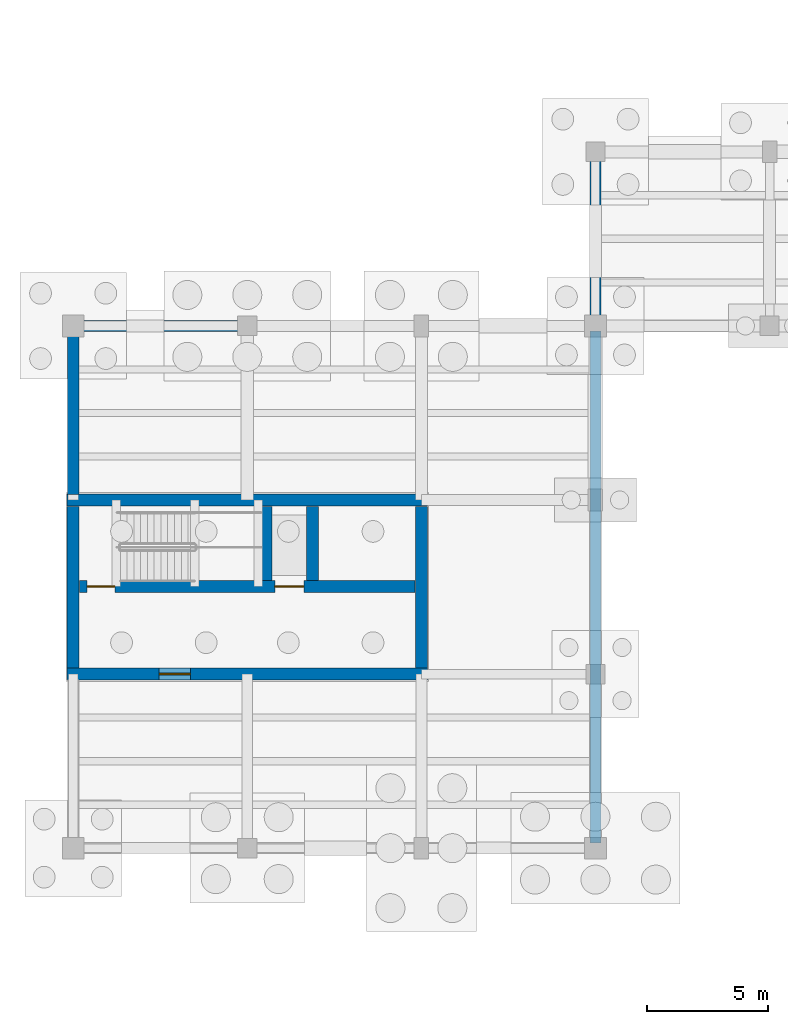
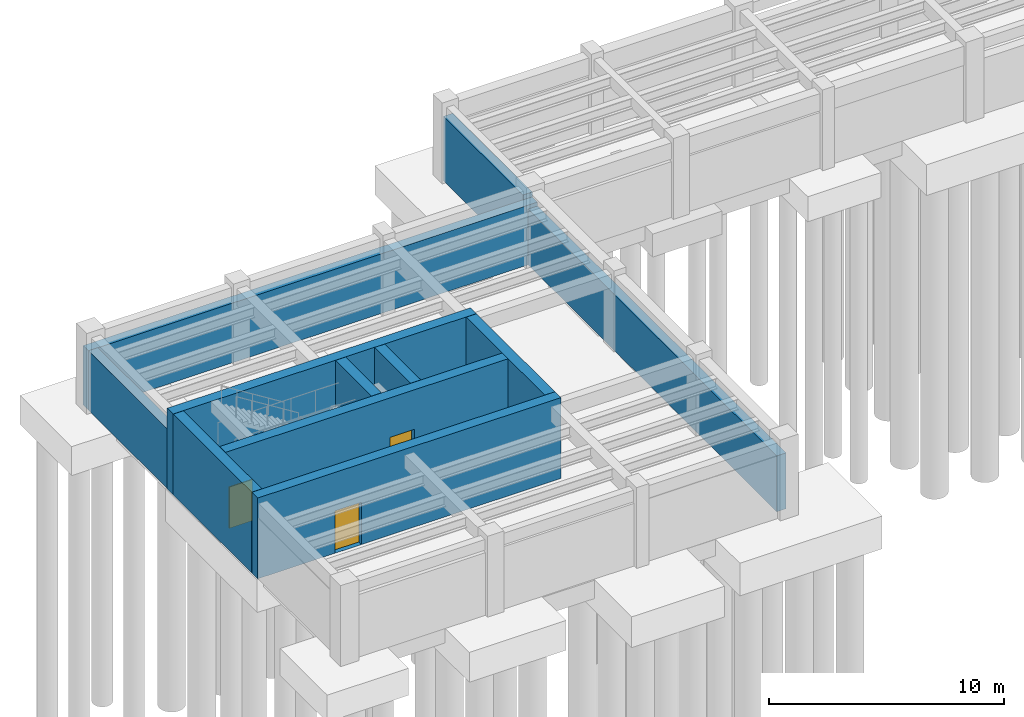
# One storey, part 11 of 22: 11 walls, 3 doors, 3 openings.
"""IFC4 building model written with IfcOpenShell, lengths in metres."""

from ifc_helpers import new_model, si_unit, direction, frame, frame_2d, origin, place, context, subcontext, project, spatial, rectangle, extrude, material, layer, layer_set, type_object, element, fill, save


model = new_model("IFC4")

# Units and contexts
model_context = context("Model", 3, precision=1e-05, world=origin(), true_north=direction((0.0, 1.0)))
body_context = subcontext(model_context, "Body", "Model", "MODEL_VIEW")
ifc_project = project(units=[si_unit("LENGTHUNIT", "METRE"), si_unit("AREAUNIT", "SQUARE_METRE"), si_unit("VOLUMEUNIT", "CUBIC_METRE"), si_unit("PLANEANGLEUNIT", "RADIAN"), si_unit("MASSUNIT", "GRAM", prefix="KILO")], contexts=[model_context])

# Site, building, storey
site_placement = place(None, origin())
site = spatial("IfcSite", under=ifc_project, at=site_placement, CompositionType="ELEMENT")
building_placement = place(site_placement, origin())
building = spatial("IfcBuilding", under=site, at=building_placement, Name="Mithqara Police Headquarters", CompositionType="ELEMENT")
storey_placement = place(building_placement, frame((0.0, 0.0, -8.39990234375)))
storey = spatial("IfcBuildingStorey", under=building, at=storey_placement, Name="B2", CompositionType="ELEMENT", Elevation=-8.39990234375)

# Walls
ifc_material_1 = material(Name="Concrete C40/50", Category="concrete")
ifc_layer_1 = layer(ifc_material_1, 0.4599609375, Name="Concrete C40/50")
ifc_layer_set_1 = layer_set([ifc_layer_1], Name="Concrete C40/50")
wall_type_1 = type_object("IfcWallType", Name="RETAINING WALL 460", PredefinedType="USERDEFINED", material=ifc_layer_set_1)
wall_1_placement = place(storey_placement, frame((29.39990234375, 78.820068359375, 0.0), z_axis=(0.0, 0.0, 1.0), x_axis=(0.0, 1.0, 0.0)))
element("IfcWall", 1, at=wall_1_placement, inside=storey, type_object=wall_type_1, Name="B2 Perimeter Retaining Wall 3", ObjectType="RETAININGWALL", PredefinedType="USERDEFINED", context=body_context, shape_type="SweptSolid", body=[
    extrude(rectangle(XDim=6.760009765625, YDim=0.4599609375, at=frame_2d((3.3798828125, 0.0))), origin(), (0.0, 0.0, 1.0), 3.349853515625),
])
wall_2_placement = place(storey_placement, frame((7.570068359375, 78.60009765625, 0.0), z_axis=(0.0, 0.0, 1.0), x_axis=(1.0, 0.0, 0.0)))
element("IfcWall", 2, at=wall_2_placement, inside=storey, type_object=wall_type_1, Name="B2 Perimeter Retaining Wall 16", ObjectType="RETAININGWALL", PredefinedType="USERDEFINED", context=body_context, shape_type="SweptSolid", body=[
    extrude(rectangle(XDim=22.059814453125, YDim=0.4599609375, at=frame_2d((11.02978515625, 0.0))), origin(), (0.0, 0.0, 1.0), 3.099853515625),
])
wall_3_placement = place(storey_placement, frame((29.39990234375, 78.3798828125, 0.0), z_axis=(0.0, 0.0, 1.0), x_axis=(0.0, -1.0, 0.0)))
element("IfcWall", 3, at=wall_3_placement, inside=storey, type_object=wall_type_1, Name="B2 Perimeter Retaining Wall 17", ObjectType="RETAININGWALL", PredefinedType="USERDEFINED", context=body_context, shape_type="SweptSolid", body=[
    extrude(rectangle(XDim=21.159912109375, YDim=0.4599609375, at=frame_2d((10.580078125, 0.0))), origin(), (0.0, 0.0, 1.0), 2.89990234375),
])
wall_4_placement = place(storey_placement, frame((7.800048828125, 71.6298828125, 0.0), z_axis=(0.0, 0.0, 1.0), x_axis=(0.0, 1.0, 0.0)))
element("IfcWall", 4, at=wall_4_placement, inside=storey, type_object=wall_type_1, Name="B2 Perimeter Retaining Wall 20", ObjectType="RETAININGWALL", PredefinedType="USERDEFINED", context=body_context, shape_type="SweptSolid", body=[
    extrude(rectangle(XDim=6.75, YDim=0.4599609375, at=frame_2d((3.375, 0.0))), origin(), (0.0, 0.0, 1.0), 3.099853515625),
])
ifc_material_2 = material(Name="Concrete C50/60", Category="concrete")
ifc_layer_2 = layer(ifc_material_2, 0.5, Name="Concrete C50/60")
ifc_layer_set_2 = layer_set([ifc_layer_2], Name="Concrete C50/60")
wall_type_2 = type_object("IfcWallType", Name="SHEAR WALL 500", PredefinedType="SHEAR", material=ifc_layer_set_2)
wall_5_placement = place(storey_placement, frame((7.550048828125, 71.39990234375, 0.0), z_axis=(0.0, 0.0, 1.0), x_axis=(1.0, 0.0, 0.0)))
element("IfcWall", 5, at=wall_5_placement, inside=storey, type_object=wall_type_2, Name="Core C3 Operations West Shear Wall N", PredefinedType="SHEAR", context=body_context, shape_type="SweptSolid", body=[
    extrude(rectangle(XDim=14.89990234375, YDim=0.5, at=frame_2d((7.449951171875, 0.0))), origin(), (0.0, 0.0, 1.0), 4.199951171875),
])

# Wall, opening, door
wall_6_placement = place(storey_placement, frame((7.550048828125, 64.199951171875, 0.0), z_axis=(0.0, 0.0, 1.0), x_axis=(1.0, 0.0, 0.0)))
wall_6 = element("IfcWall", 6, at=wall_6_placement, inside=storey, type_object=wall_type_2, Name="Core C3 Operations West Shear Wall S", PredefinedType="SHEAR", context=body_context, shape_type="SweptSolid", body=[
    extrude(rectangle(XDim=14.89990234375, YDim=0.5, at=frame_2d((7.449951171875, 0.0))), origin(), (0.0, 0.0, 1.0), 4.199951171875),
])
opening_1_placement = place(wall_6_placement, frame((3.800048828125, 0.0, 0.0)))
opening_1 = element("IfcOpeningElement", 7, at=opening_1_placement, cuts=wall_6, Name="Opening FD-02", PredefinedType="OPENING", context=body_context, shape_type="SweptSolid", body=[
    extrude(rectangle(XDim=1.300048828125, YDim=2.199951171875, at=frame_2d((0.64990234375, 1.10009765625))), frame((0.0, 0.260009765625, 0.0), z_axis=(0.0, -1.0, 0.0), x_axis=(1.0, 0.0, 0.0)), (0.0, 0.0, 1.0), 0.52001953125),
])
ifc_material_3 = material(Name="Steel S355JR", Category="steel")
door_type_1 = type_object("IfcDoorType", Name="CORE DOOR LOBBY 1300X2200", OperationType="NOTDEFINED", PredefinedType="DOOR", material=ifc_material_3)
door_1_placement = place(opening_1_placement, frame((1.300048828125, 0.0, 0.0), z_axis=(0.0, 0.0, 1.0), x_axis=(-1.0, 0.0, 0.0)))
door_1 = element("IfcDoor", 8, at=door_1_placement, inside=storey, type_object=door_type_1, Name="Core C3 Operations West Lobby Fire Door B2", OperationType="SINGLE_SWING_LEFT", OverallHeight=2.199951171875, OverallWidth=1.300048828125, PredefinedType="DOOR", context=body_context, shape_type="SweptSolid", body=[
    extrude(rectangle(XDim=1.300048828125, YDim=2.199951171875, at=frame_2d((0.64990234375, 1.10009765625))), frame((0.0, 0.02490234375, 0.0), z_axis=(0.0, -1.0, 0.0), x_axis=(1.0, 0.0, 0.0)), (0.0, 0.0, 1.0), 0.050048828125),
])
fill(opening_1, door_1)

# Walls
for number, where, z_axis, x_axis, name in (
    (9, (7.800048828125, 64.4599609375, 0.0), (0.0, 0.0, 1.0), (0.0, 1.0, 0.0), "Core C3 Operations West Shear Wall W"),
    (10, (22.199951171875, 64.4599609375, 0.0), (0.0, 0.0, 1.0), (0.0, 1.0, 0.0), "Core C3 Operations West Shear Wall E"),
):
    element("IfcWall", number, at=place(storey_placement, frame(where, z_axis=z_axis, x_axis=x_axis)), inside=storey, type_object=wall_type_2, Name=name, PredefinedType="SHEAR", context=body_context, shape_type="SweptSolid", body=[
        extrude(rectangle(XDim=6.679931640625, YDim=0.5, at=frame_2d((3.33984375, 0.0))), origin(), (0.0, 0.0, 1.0), 4.199951171875),
    ])

# Wall, openings, doors
wall_7_placement = place(storey_placement, frame((8.06005859375, 67.820068359375, 0.0), z_axis=(0.0, 0.0, 1.0), x_axis=(1.0, 0.0, 0.0)))
wall_7 = element("IfcWall", 11, at=wall_7_placement, inside=storey, type_object=wall_type_2, Name="Core C3 Operations West Shear Wall M", PredefinedType="SHEAR", context=body_context, shape_type="SweptSolid", body=[
    extrude(rectangle(XDim=13.8798828125, YDim=0.5, at=frame_2d((6.93994140625, 0.0))), origin(), (0.0, 0.0, 1.0), 4.199951171875),
])
opening_2_placement = place(wall_7_placement, frame((8.080078125, 0.0, 0.0)))
opening_2 = element("IfcOpeningElement", 12, at=opening_2_placement, cuts=wall_7, Name="Opening LD-02", PredefinedType="OPENING", context=body_context, shape_type="SweptSolid", body=[
    extrude(rectangle(XDim=1.199951171875, YDim=2.14990234375, at=frame_2d((0.60009765625, 1.074951171875))), frame((0.0, 0.260009765625, 0.0), z_axis=(0.0, -1.0, 0.0), x_axis=(1.0, 0.0, 0.0)), (0.0, 0.0, 1.0), 0.52001953125),
])
opening_3_placement = place(wall_7_placement, frame((0.31494140625, 0.0, 0.0)))
opening_3 = element("IfcOpeningElement", 13, at=opening_3_placement, cuts=wall_7, Name="Opening FD-01", PredefinedType="OPENING", context=body_context, shape_type="SweptSolid", body=[
    extrude(rectangle(XDim=1.14990234375, YDim=2.14990234375, at=frame_2d((0.574951171875, 1.074951171875))), frame((0.0, 0.260009765625, 0.0), z_axis=(0.0, -1.0, 0.0), x_axis=(1.0, 0.0, 0.0)), (0.0, 0.0, 1.0), 0.52001953125),
])
door_type_2 = type_object("IfcDoorType", Name="CORE DOOR STAIR 1150X2150", OperationType="NOTDEFINED", PredefinedType="DOOR", material=ifc_material_3)
door_2_placement = place(opening_3_placement, origin())
door_2 = element("IfcDoor", 14, at=door_2_placement, inside=storey, type_object=door_type_2, Name="Stair ST-03 Fire Door B2", OperationType="SINGLE_SWING_LEFT", OverallHeight=2.14990234375, OverallWidth=1.14990234375, PredefinedType="DOOR", context=body_context, shape_type="SweptSolid", body=[
    extrude(rectangle(XDim=1.14990234375, YDim=2.14990234375, at=frame_2d((0.574951171875, 1.074951171875))), frame((0.0, 0.02490234375, 0.0), z_axis=(0.0, -1.0, 0.0), x_axis=(1.0, 0.0, 0.0)), (0.0, 0.0, 1.0), 0.050048828125),
])
fill(opening_3, door_2)
door_type_3 = type_object("IfcDoorType", Name="LIFT DOOR 1200X2150", OperationType="DOUBLE_DOOR_SLIDING", PredefinedType="DOOR", material=ifc_material_3)
door_3_placement = place(opening_2_placement, frame((1.199951171875, 0.0, 0.0), z_axis=(0.0, 0.0, 1.0), x_axis=(-1.0, 0.0, 0.0)))
door_3 = element("IfcDoor", 15, at=door_3_placement, inside=storey, type_object=door_type_3, Name="Lift Landing Door LP-05-B2", OperationType="DOUBLE_DOOR_SLIDING", OverallHeight=2.14990234375, OverallWidth=1.199951171875, PredefinedType="DOOR", context=body_context, shape_type="SweptSolid", body=[
    extrude(rectangle(XDim=1.199951171875, YDim=2.14990234375, at=frame_2d((0.60009765625, 1.074951171875))), frame((0.0, 0.02490234375, 0.0), z_axis=(0.0, -1.0, 0.0), x_axis=(1.0, 0.0, 0.0)), (0.0, 0.0, 1.0), 0.050048828125),
])
fill(opening_2, door_3)

# Walls
for number, where, z_axis, x_axis, name in (
    (16, (15.780029296875, 68.080078125, 0.0), (0.0, 0.0, 1.0), (0.0, 1.0, 0.0), "Core C3 Operations West Shear Wall X"),
    (17, (17.699951171875, 68.080078125, 0.0), (0.0, 0.0, 1.0), (0.0, 1.0, 0.0), "Core C3 Operations West Shear Wall L1"),
):
    element("IfcWall", number, at=place(storey_placement, frame(where, z_axis=z_axis, x_axis=x_axis)), inside=storey, type_object=wall_type_2, Name=name, PredefinedType="SHEAR", context=body_context, shape_type="SweptSolid", body=[
        extrude(rectangle(XDim=3.059814453125, YDim=0.5, at=frame_2d((1.52978515625, 0.0))), origin(), (0.0, 0.0, 1.0), 4.199951171875),
    ])

save(model, "model.ifc")
